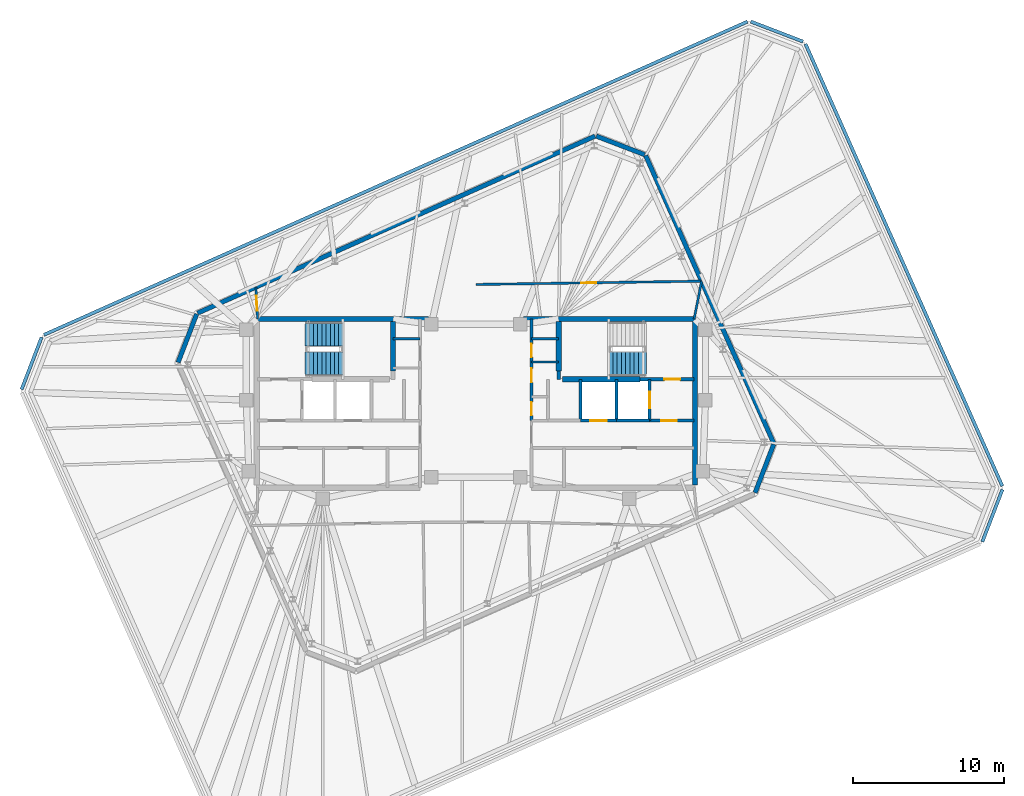
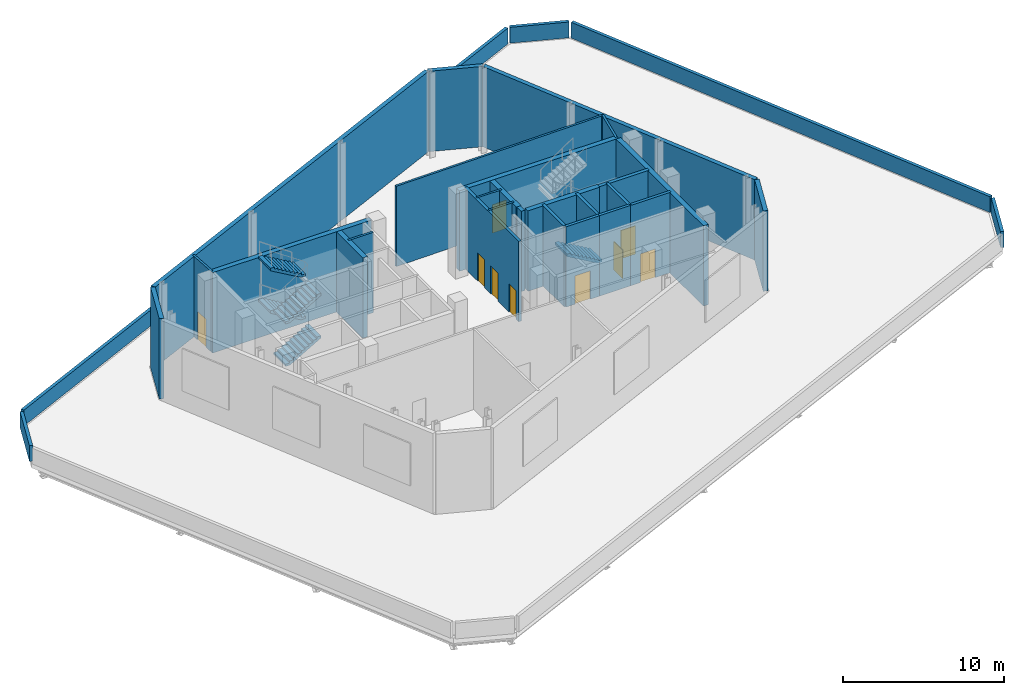
# One storey, part 8 of 10: 31 walls, 9 doors, 5 stair flights, 9 openings, 2 elements without a shape of their own.
"""IFC4 building model written with IfcOpenShell, lengths in metres."""

from ifc_helpers import new_model, si_unit, direction, frame, frame_2d, origin, place, context, subcontext, project, spatial, polyline, rectangle, outline, extrude, material, layer, layer_set, type_object, element, fill, aggregate, save


model = new_model("IFC4")

# Units and contexts
model_context = context("Model", 3, precision=1e-05, world=origin(), true_north=direction((0.0, 1.0)))
body_context = subcontext(model_context, "Body", "Model", "MODEL_VIEW")
ifc_project = project(units=[si_unit("LENGTHUNIT", "METRE"), si_unit("AREAUNIT", "SQUARE_METRE"), si_unit("VOLUMEUNIT", "CUBIC_METRE"), si_unit("PLANEANGLEUNIT", "RADIAN"), si_unit("MASSUNIT", "GRAM", prefix="KILO")], contexts=[model_context])

# Site, building, storey
site_placement = place(None, origin())
site = spatial("IfcSite", under=ifc_project, at=site_placement, CompositionType="ELEMENT")
building_placement = place(site_placement, origin())
building = spatial("IfcBuilding", under=site, at=building_placement, Name="Menara Jurai Vektor", CompositionType="ELEMENT")
storey_placement = place(building_placement, frame((0.0, 0.0, 305.550048828125)))
storey = spatial("IfcBuildingStorey", under=building, at=storey_placement, Name="L82", CompositionType="ELEMENT", Elevation=305.550048828125)

# Walls
ifc_material_1 = material(Name="Insulated Pale Aluminium Spandrel Wall", Category="aluminium")
ifc_layer_1 = layer(ifc_material_1, 0.300048828125)
ifc_layer_set_1 = layer_set([ifc_layer_1], Name="Insulated Pale Aluminium Spandrel Wall")
wall_type_1 = type_object("IfcWallType", Name="ENV-WALL-EXT300", PredefinedType="STANDARD", material=ifc_layer_set_1)
wall_1_placement = place(storey_placement, frame((18.550048828125, -5.936279296875, 0.0), z_axis=(0.0, 0.0, 1.0), x_axis=(0.358404469556, 0.933566406959, 0.0)))
element("IfcWall", 1, at=wall_1_placement, inside=storey, type_object=wall_type_1, Name="Crown Plant Drum Enclosure Wall 02", PredefinedType="STANDARD", context=body_context, shape_type="SweptSolid", body=[
    extrude(rectangle(XDim=3.445556640625, YDim=0.300048828125, at=frame_2d((1.72265625, 0.0))), origin(), (0.0, 0.0, 1.0), 6.099853515625),
])
wall_2_placement = place(storey_placement, frame((19.78271484375, -2.63671875, 0.0), z_axis=(0.0, 0.0, 1.0), x_axis=(-0.406736369999, 0.913545579224, 0.0)))
element("IfcWall", 2, at=wall_2_placement, inside=storey, type_object=wall_type_1, Name="Crown Plant Drum Enclosure Wall 03", PredefinedType="STANDARD", context=body_context, shape_type="SweptSolid", body=[
    extrude(rectangle(XDim=20.91015625, YDim=0.300048828125, at=frame_2d((10.455078125, 0.0))), origin(), (0.0, 0.0, 1.0), 6.099853515625),
])
wall_3_placement = place(storey_placement, frame((11.217529296875, 16.52294921875, 0.0), z_axis=(0.0, 0.0, 1.0), x_axis=(-0.933599212806, 0.358319005704, 0.0)))
element("IfcWall", 3, at=wall_3_placement, inside=storey, type_object=wall_type_1, Name="Crown Plant Drum Enclosure Wall 04", PredefinedType="STANDARD", context=body_context, shape_type="SweptSolid", body=[
    extrude(rectangle(XDim=3.445556640625, YDim=0.300048828125, at=frame_2d((1.72265625, 0.0))), origin(), (0.0, 0.0, 1.0), 6.099853515625),
])
wall_4_placement = place(storey_placement, frame((7.917724609375, 17.755615234375, 0.0), z_axis=(0.0, 0.0, 1.0), x_axis=(-0.913542158844, -0.406744052217, 0.0)))
element("IfcWall", 4, at=wall_4_placement, inside=storey, type_object=wall_type_1, Name="Crown Plant Drum Enclosure Wall 05", PredefinedType="STANDARD", context=body_context, shape_type="SweptSolid", body=[
    extrude(rectangle(XDim=28.91015625, YDim=0.300048828125, at=frame_2d((14.455078125, 0.0))), origin(), (0.0, 0.0, 1.0), 6.099853515625),
])
wall_5_placement = place(storey_placement, frame((-18.550048828125, 5.936279296875, 0.0), z_axis=(0.0, 0.0, 1.0), x_axis=(-0.358404469556, -0.933566406959, 0.0)))
element("IfcWall", 5, at=wall_5_placement, inside=storey, type_object=wall_type_1, Name="Crown Plant Drum Enclosure Wall 06", PredefinedType="STANDARD", context=body_context, shape_type="SweptSolid", body=[
    extrude(rectangle(XDim=3.445556640625, YDim=0.300048828125, at=frame_2d((1.72265625, 0.0))), origin(), (0.0, 0.0, 1.0), 6.099853515625),
])
ifc_material_2 = material(Name="Concrete C40/50", Category="concrete")
ifc_layer_2 = layer(ifc_material_2, 0.219970703125)
ifc_layer_set_2 = layer_set([ifc_layer_2], Name="Concrete C40/50")
wall_type_2 = type_object("IfcWallType", Name="ENV-WALL-PARAPET220", PredefinedType="PARAPET", material=ifc_layer_set_2)
wall_6_placement = place(storey_placement, frame((33.6494140625, -9.19140625, 0.0), z_axis=(0.0, 0.0, 1.0), x_axis=(0.358345342952, 0.933589104041, 0.0)))
element("IfcWall", 6, at=wall_6_placement, inside=storey, type_object=wall_type_2, Name="Roof Parapet Wall L82-BLK5-02", PredefinedType="PARAPET", context=body_context, shape_type="SweptSolid", body=[
    extrude(rectangle(XDim=3.7177734375, YDim=0.219970703125, at=frame_2d((1.85888671875, 0.0))), origin(), (0.0, 0.0, 1.0), 1.199951171875),
])
wall_7_placement = place(storey_placement, frame((34.97607421875, -5.496826171875, 0.0), z_axis=(0.0, 0.0, 1.0), x_axis=(-0.40674416426, 0.913542108959, 0.0)))
element("IfcWall", 7, at=wall_7_placement, inside=storey, type_object=wall_type_2, Name="Roof Parapet Wall L82-BLK5-03", PredefinedType="PARAPET", context=body_context, shape_type="SweptSolid", body=[
    extrude(rectangle(XDim=32.157958984375, YDim=0.219970703125, at=frame_2d((16.0791015625, 0.0))), origin(), (0.0, 0.0, 1.0), 1.199951171875),
])
wall_8_placement = place(storey_placement, frame((21.73388671875, 24.034912109375, 0.0), z_axis=(0.0, 0.0, 1.0), x_axis=(-0.933580670863, 0.35836731295, 0.0)))
element("IfcWall", 8, at=wall_8_placement, inside=storey, type_object=wall_type_2, Name="Roof Parapet Wall L82-BLK5-04", PredefinedType="PARAPET", context=body_context, shape_type="SweptSolid", body=[
    extrude(rectangle(XDim=3.717529296875, YDim=0.219970703125, at=frame_2d((1.85888671875, 0.0))), origin(), (0.0, 0.0, 1.0), 1.199951171875),
])
wall_9_placement = place(storey_placement, frame((18.03955078125, 25.361328125, 0.0), z_axis=(0.0, 0.0, 1.0), x_axis=(-0.913545087995, -0.406737473317, 0.0)))
element("IfcWall", 9, at=wall_9_placement, inside=storey, type_object=wall_type_2, Name="Roof Parapet Wall L82-BLK5-05", PredefinedType="PARAPET", context=body_context, shape_type="SweptSolid", body=[
    extrude(rectangle(XDim=51.157958984375, YDim=0.219970703125, at=frame_2d((25.5791015625, 0.0))), origin(), (0.0, 0.0, 1.0), 1.199951171875),
])
wall_10_placement = place(storey_placement, frame((-28.849609375, 4.391357421875, 0.0), z_axis=(0.0, 0.0, 1.0), x_axis=(-0.358345342952, -0.933589104041, 0.0)))
element("IfcWall", 10, at=wall_10_placement, inside=storey, type_object=wall_type_2, Name="Roof Parapet Wall L82-BLK5-06", PredefinedType="PARAPET", context=body_context, shape_type="SweptSolid", body=[
    extrude(rectangle(XDim=3.7177734375, YDim=0.219970703125, at=frame_2d((1.85888671875, 0.0))), origin(), (0.0, 0.0, 1.0), 1.199951171875),
])

# Wall, opening, door
ifc_layer_3 = layer(ifc_material_2, 0.25)
ifc_layer_set_3 = layer_set([ifc_layer_3], Name="Concrete C40/50")
wall_type_3 = type_object("IfcWallType", Name="INT-WALL-CORE-250", PredefinedType="STANDARD", material=ifc_layer_set_3)
wall_11_placement = place(storey_placement, frame((10.89990234375, 1.60009765625, 0.0), z_axis=(0.0, 0.0, 1.0), x_axis=(1.0, 0.0, 0.0)))
wall_11 = element("IfcWall", 11, at=wall_11_placement, inside=storey, type_object=wall_type_3, Name="Interior Wall IW-250 L82", PredefinedType="STANDARD", context=body_context, shape_type="SweptSolid", body=[
    extrude(rectangle(XDim=3.60009765625, YDim=0.25, at=frame_2d((1.800048828125, 0.0))), origin(), (0.0, 0.0, 1.0), 6.099853515625),
])
opening_1_placement = place(wall_11_placement, frame((1.6201171875, 0.0, 0.0)))
opening_1 = element("IfcOpeningElement", 12, at=opening_1_placement, cuts=wall_11, Name="Opening D-L82-ST2", PredefinedType="OPENING", context=body_context, shape_type="SweptSolid", body=[
    extrude(rectangle(XDim=1.050048828125, YDim=2.14990234375, at=frame_2d((0.52490234375, 1.074951171875))), frame((0.0, 0.135009765625, 0.0), z_axis=(0.0, -1.0, 0.0), x_axis=(1.0, 0.0, 0.0)), (0.0, 0.0, 1.0), 0.27001953125),
])
ifc_material_3 = material(Name="Fire-Rated Steel Door", Category="steel")
door_type_1 = type_object("IfcDoorType", Name="DR-STAIR-1050", OperationType="NOTDEFINED", PredefinedType="DOOR", material=ifc_material_3)
door_1_placement = place(opening_1_placement, origin())
door_1 = element("IfcDoor", 13, at=door_1_placement, inside=storey, type_object=door_type_1, Name="Exit Stair ST2 Door L82", OperationType="SINGLE_SWING_LEFT", OverallHeight=2.14990234375, OverallWidth=1.050048828125, PredefinedType="DOOR", context=body_context, shape_type="SweptSolid", body=[
    extrude(rectangle(XDim=1.050048828125, YDim=2.14990234375, at=frame_2d((0.52490234375, 1.074951171875))), frame((0.0, 0.02490234375, 0.0), z_axis=(0.0, -1.0, 0.0), x_axis=(1.0, 0.0, 0.0)), (0.0, 0.0, 1.0), 0.050048828125),
])
fill(opening_1, door_1)

# Wall
wall_12_placement = place(storey_placement, frame((5.5, 1.60009765625, 0.0), z_axis=(0.0, 0.0, 1.0), x_axis=(0.0, 1.0, 0.0)))
element("IfcWall", 14, at=wall_12_placement, inside=storey, type_object=wall_type_3, Name="Interior Wall IW-250 L82", PredefinedType="STANDARD", context=body_context, shape_type="SweptSolid", body=[
    extrude(rectangle(XDim=0.5498046875, YDim=0.25, at=frame_2d((0.27490234375, 0.0))), origin(), (0.0, 0.0, 1.0), 6.099853515625),
])

# Wall, opening, door
wall_13_placement = place(storey_placement, frame((11.550048828125, -1.14990234375, 0.0), z_axis=(0.0, 0.0, 1.0), x_axis=(0.0, 1.0, 0.0)))
wall_13 = element("IfcWall", 15, at=wall_13_placement, inside=storey, type_object=wall_type_3, Name="Interior Wall IW-250 L82", PredefinedType="STANDARD", context=body_context, shape_type="SweptSolid", body=[
    extrude(rectangle(XDim=2.75, YDim=0.199951171875, at=frame_2d((1.375, 0.0))), origin(), (0.0, 0.0, 1.0), 6.099853515625),
])
opening_2_placement = place(wall_13_placement, frame((0.824951171875, 0.0, 0.0)))
opening_2 = element("IfcOpeningElement", 16, at=opening_2_placement, cuts=wall_13, Name="Opening LD-L82-FL2", PredefinedType="OPENING", context=body_context, shape_type="SweptSolid", body=[
    extrude(rectangle(XDim=1.10009765625, YDim=2.14990234375, at=frame_2d((0.550048828125, 1.074951171875))), frame((0.0, 0.10986328125, 0.0), z_axis=(0.0, -1.0, 0.0), x_axis=(1.0, 0.0, 0.0)), (0.0, 0.0, 1.0), 0.219970703125),
])
ifc_material_4 = material(Name="Stainless Steel Sliding Lift Landing Door", Category="steel")
door_type_2 = type_object("IfcDoorType", Name="DR-LIFT-FIRE-1100", OperationType="NOTDEFINED", PredefinedType="DOOR", material=ifc_material_4)
door_2_placement = place(opening_2_placement, origin())
door_2 = element("IfcDoor", 17, at=door_2_placement, inside=storey, type_object=door_type_2, Name="Lift Landing Door FL2 L82", OperationType="SLIDING_TO_RIGHT", OverallHeight=2.14990234375, OverallWidth=1.10009765625, PredefinedType="DOOR", context=body_context, shape_type="SweptSolid", body=[
    extrude(rectangle(XDim=1.10009765625, YDim=2.14990234375, at=frame_2d((0.550048828125, 1.074951171875))), frame((0.0, 0.02490234375, 0.0), z_axis=(0.0, -1.0, 0.0), x_axis=(1.0, 0.0, 0.0)), (0.0, 0.0, 1.0), 0.050048828125),
])
fill(opening_2, door_2)

# Wall
wall_14_placement = place(storey_placement, frame((9.35009765625, -1.14990234375, 0.0), z_axis=(0.0, 0.0, 1.0), x_axis=(0.0, 1.0, 0.0)))
element("IfcWall", 18, at=wall_14_placement, inside=storey, type_object=wall_type_3, Name="Interior Wall IW-250 L82", PredefinedType="STANDARD", context=body_context, shape_type="SweptSolid", body=[
    extrude(rectangle(XDim=2.75, YDim=0.199951171875, at=frame_2d((1.375, 0.0))), origin(), (0.0, 0.0, 1.0), 6.099853515625),
])

# Wall, opening, door
wall_15_placement = place(storey_placement, frame((11.550048828125, -1.14990234375, 0.0), z_axis=(0.0, 0.0, 1.0), x_axis=(1.0, 0.0, 0.0)))
wall_15 = element("IfcWall", 19, at=wall_15_placement, inside=storey, type_object=wall_type_3, Name="Interior Wall IW-250 L82", PredefinedType="STANDARD", context=body_context, shape_type="SweptSolid", body=[
    extrude(rectangle(XDim=2.949951171875, YDim=0.199951171875, at=frame_2d((1.47509765625, 0.0))), origin(), (0.0, 0.0, 1.0), 6.099853515625),
])
opening_3_placement = place(wall_15_placement, frame((0.75, 0.0, 0.0)))
opening_3 = element("IfcOpeningElement", 20, at=opening_3_placement, cuts=wall_15, Name="Opening D-L82-FFE", PredefinedType="OPENING", context=body_context, shape_type="SweptSolid", body=[
    extrude(rectangle(XDim=1.050048828125, YDim=2.179931640625, at=frame_2d((0.52490234375, 1.08984375))), frame((0.0, 0.10986328125, 0.0), z_axis=(0.0, -1.0, 0.0), x_axis=(1.0, 0.0, 0.0)), (0.0, 0.0, 1.0), 0.219970703125),
])
ifc_material_5 = material(Name="Fire-Rated Timber Door", Category="wood")
door_type_3 = type_object("IfcDoorType", Name="DR-LOBBY-1050", OperationType="NOTDEFINED", PredefinedType="DOOR", material=ifc_material_5)
door_3_placement = place(opening_3_placement, origin())
door_3 = element("IfcDoor", 21, at=door_3_placement, inside=storey, type_object=door_type_3, Name="Fire Lift Lobby Door E L82", OperationType="SINGLE_SWING_LEFT", OverallHeight=2.179931640625, OverallWidth=1.050048828125, PredefinedType="DOOR", context=body_context, shape_type="SweptSolid", body=[
    extrude(rectangle(XDim=1.050048828125, YDim=2.179931640625, at=frame_2d((0.52490234375, 1.08984375))), frame((0.0, 0.02490234375, 0.0), z_axis=(0.0, -1.0, 0.0), x_axis=(1.0, 0.0, 0.0)), (0.0, 0.0, 1.0), 0.050048828125),
])
fill(opening_3, door_3)

# Walls
wall_16_placement = place(storey_placement, frame((9.35009765625, -1.14990234375, 0.0), z_axis=(0.0, 0.0, 1.0), x_axis=(1.0, 0.0, 0.0)))
element("IfcWall", 22, at=wall_16_placement, inside=storey, type_object=wall_type_3, Name="Interior Wall IW-250 L82", PredefinedType="STANDARD", context=body_context, shape_type="SweptSolid", body=[
    extrude(rectangle(XDim=2.199951171875, YDim=0.199951171875, at=frame_2d((1.10009765625, 0.0))), origin(), (0.0, 0.0, 1.0), 6.099853515625),
])
ifc_material_6 = material(Name="Gypsum Fireboard Partition", Category="gypsum")
ifc_layer_4 = layer(ifc_material_6, 0.14990234375)
ifc_layer_set_4 = layer_set([ifc_layer_4], Name="Gypsum Fireboard Partition")
wall_type_4 = type_object("IfcWallType", Name="INT-WALL-CORR-150", PredefinedType="PARTITIONING", material=ifc_layer_set_4)
for number, where, z_axis, x_axis, name in (
    (23, (-5.5, 4.300048828125, 0.0), (0.0, 0.0, 1.0), (1.0, 0.0, 0.0), "Interior Wall IW-150 L82"),
    (24, (3.699951171875, 4.300048828125, 0.0), (0.0, 0.0, 1.0), (1.0, 0.0, 0.0), "Interior Wall IW-150 L82"),
    (25, (3.699951171875, 2.75, 0.0), (0.0, 0.0, 1.0), (1.0, 0.0, 0.0), "Interior Wall IW-150 L82"),
):
    element("IfcWall", number, at=place(storey_placement, frame(where, z_axis=z_axis, x_axis=x_axis)), inside=storey, type_object=wall_type_4, Name=name, PredefinedType="PARTITIONING", context=body_context, shape_type="SweptSolid", body=[
        extrude(rectangle(XDim=1.800048828125, YDim=0.14990234375, at=frame_2d((0.89990234375, 0.0))), origin(), (0.0, 0.0, 1.0), 6.099853515625),
    ])

# Wall, opening, door
wall_17_placement = place(storey_placement, frame((-14.5, 5.60009765625, 0.0), z_axis=(0.0, 0.0, 1.0), x_axis=(-0.053607139023, 0.99856210355, 0.0)))
wall_17 = element("IfcWall", 26, at=wall_17_placement, inside=storey, type_object=wall_type_4, Name="Interior Wall IW-150 L82", PredefinedType="PARTITIONING", context=body_context, shape_type="SweptSolid", body=[
    extrude(rectangle(XDim=2.126953125, YDim=0.14990234375, at=frame_2d((1.0634765625, 0.0))), origin(), (0.0, 0.0, 1.0), 6.099853515625),
])
opening_4_placement = place(wall_17_placement, frame((0.5634765625, 0.0, 0.0)))
opening_4 = element("IfcOpeningElement", 27, at=opening_4_placement, cuts=wall_17, Name="Opening D82-09", PredefinedType="OPENING", context=body_context, shape_type="SweptSolid", body=[
    extrude(rectangle(XDim=1.0, YDim=2.14990234375, at=frame_2d((0.5, 1.074951171875))), frame((0.0, 0.0849609375, 0.0), z_axis=(0.0, -1.0, 0.0), x_axis=(1.0, 0.0, 0.0)), (0.0, 0.0, 1.0), 0.169921875),
])
ifc_material_7 = material(Name="Solid Core Timber Fire Door", Category="wood")
door_type_4 = type_object("IfcDoorType", Name="DR-ENTRY-950", OperationType="NOTDEFINED", PredefinedType="DOOR", material=ifc_material_7)
door_4_placement = place(opening_4_placement, origin())
door_4 = element("IfcDoor", 28, at=door_4_placement, inside=storey, type_object=door_type_4, Name="Interior Door D82-09", OperationType="SINGLE_SWING_LEFT", OverallHeight=2.14990234375, OverallWidth=1.0, PredefinedType="DOOR", context=body_context, shape_type="SweptSolid", body=[
    extrude(rectangle(XDim=1.0, YDim=2.14990234375, at=frame_2d((0.5, 1.074951171875))), frame((0.0, 0.02490234375, 0.0), z_axis=(0.0, -1.0, 0.0), x_axis=(1.0, 0.0, 0.0)), (0.0, 0.0, 1.0), 0.050048828125),
])
fill(opening_4, door_4)

wall_18_placement = place(storey_placement, frame((0.0, 7.89990234375, 0.0), z_axis=(0.0, 0.0, 1.0), x_axis=(0.999892399394, 0.01466934334, 0.0)))
wall_18 = element("IfcWall", 29, at=wall_18_placement, inside=storey, type_object=wall_type_4, Name="Interior Wall IW-150 L82", PredefinedType="PARTITIONING", context=body_context, shape_type="SweptSolid", body=[
    extrude(rectangle(XDim=14.995361328125, YDim=0.14990234375, at=frame_2d((7.49755859375, 0.0))), origin(), (0.0, 0.0, 1.0), 6.099853515625),
])
opening_5_placement = place(wall_18_placement, frame((6.997802734375, 0.0, 0.0)))
opening_5 = element("IfcOpeningElement", 30, at=opening_5_placement, cuts=wall_18, Name="Opening D82-10", PredefinedType="OPENING", context=body_context, shape_type="SweptSolid", body=[
    extrude(rectangle(XDim=1.0, YDim=2.14990234375, at=frame_2d((0.5, 1.074951171875))), frame((0.0, 0.0849609375, 0.0), z_axis=(0.0, -1.0, 0.0), x_axis=(1.0, 0.0, 0.0)), (0.0, 0.0, 1.0), 0.169921875),
])
door_5_placement = place(opening_5_placement, origin())
door_5 = element("IfcDoor", 31, at=door_5_placement, inside=storey, type_object=door_type_4, Name="Interior Door D82-10", OperationType="SINGLE_SWING_RIGHT", OverallHeight=2.14990234375, OverallWidth=1.0, PredefinedType="DOOR", context=body_context, shape_type="SweptSolid", body=[
    extrude(rectangle(XDim=1.0, YDim=2.14990234375, at=frame_2d((0.5, 1.074951171875))), frame((0.0, 0.02490234375, 0.0), z_axis=(0.0, -1.0, 0.0), x_axis=(1.0, 0.0, 0.0)), (0.0, 0.0, 1.0), 0.050048828125),
])
fill(opening_5, door_5)

# Wall
wall_19_placement = place(storey_placement, frame((14.5, 5.60009765625, 0.0), z_axis=(0.0, 0.0, 1.0), x_axis=(0.192256468782, 0.981344715282, 0.0)))
element("IfcWall", 32, at=wall_19_placement, inside=storey, type_object=wall_type_4, Name="Interior Wall IW-150 L82", PredefinedType="PARTITIONING", context=body_context, shape_type="SweptSolid", body=[
    extrude(rectangle(XDim=2.567626953125, YDim=0.14990234375, at=frame_2d((1.28369140625, 0.0))), origin(), (0.0, 0.0, 1.0), 6.099853515625),
])

# Wall, openings, doors
ifc_layer_5 = layer(ifc_material_2, 0.199951171875)
ifc_layer_set_5 = layer_set([ifc_layer_5], Name="Concrete C40/50")
wall_type_5 = type_object("IfcWallType", Name="INT-WALL-SHAFT-200", PredefinedType="STANDARD", material=ifc_layer_set_5)
wall_20_placement = place(storey_placement, frame((3.699951171875, -1.14990234375, 0.0), z_axis=(0.0, 0.0, 1.0), x_axis=(0.0, 1.0, 0.0)))
wall_20 = element("IfcWall", 33, at=wall_20_placement, inside=storey, type_object=wall_type_5, Name="Interior Wall IW-200 L82", PredefinedType="STANDARD", context=body_context, shape_type="SweptSolid", body=[
    extrude(rectangle(XDim=6.75, YDim=0.199951171875, at=frame_2d((3.375, 0.0))), origin(), (0.0, 0.0, 1.0), 6.099853515625),
])
opening_6_placement = place(wall_20_placement, frame((0.35009765625, 0.0, 0.0)))
opening_6 = element("IfcOpeningElement", 34, at=opening_6_placement, cuts=wall_20, Name="Opening D82-06", PredefinedType="OPENING", context=body_context, shape_type="SweptSolid", body=[
    extrude(rectangle(XDim=0.8798828125, YDim=2.14990234375, at=frame_2d((0.43994140625, 1.074951171875))), frame((0.0, 0.10986328125, 0.0), z_axis=(0.0, -1.0, 0.0), x_axis=(1.0, 0.0, 0.0)), (0.0, 0.0, 1.0), 0.219970703125),
])
opening_7_placement = place(wall_20_placement, frame((2.550048828125, 0.0, 0.0)))
opening_7 = element("IfcOpeningElement", 35, at=opening_7_placement, cuts=wall_20, Name="Opening D82-07", PredefinedType="OPENING", context=body_context, shape_type="SweptSolid", body=[
    extrude(rectangle(XDim=0.919921875, YDim=2.14990234375, at=frame_2d((0.4599609375, 1.074951171875))), frame((0.0, 0.10986328125, 0.0), z_axis=(0.0, -1.0, 0.0), x_axis=(1.0, 0.0, 0.0)), (0.0, 0.0, 1.0), 0.219970703125),
])
opening_8_placement = place(wall_20_placement, frame((4.219970703125, 0.0, 0.0)))
opening_8 = element("IfcOpeningElement", 36, at=opening_8_placement, cuts=wall_20, Name="Opening D82-08", PredefinedType="OPENING", context=body_context, shape_type="SweptSolid", body=[
    extrude(rectangle(XDim=0.8798828125, YDim=2.14990234375, at=frame_2d((0.43994140625, 1.074951171875))), frame((0.0, 0.10986328125, 0.0), z_axis=(0.0, -1.0, 0.0), x_axis=(1.0, 0.0, 0.0)), (0.0, 0.0, 1.0), 0.219970703125),
])
door_6_placement = place(opening_6_placement, origin())
door_6 = element("IfcDoor", 37, at=door_6_placement, inside=storey, type_object=door_type_4, Name="Interior Door D82-06", OperationType="SINGLE_SWING_RIGHT", OverallHeight=2.14990234375, OverallWidth=0.8798828125, PredefinedType="DOOR", context=body_context, shape_type="SweptSolid", body=[
    extrude(rectangle(XDim=0.8798828125, YDim=2.14990234375, at=frame_2d((0.43994140625, 1.074951171875))), frame((0.0, 0.02490234375, 0.0), z_axis=(0.0, -1.0, 0.0), x_axis=(1.0, 0.0, 0.0)), (0.0, 0.0, 1.0), 0.050048828125),
])
fill(opening_6, door_6)
door_7_placement = place(opening_7_placement, origin())
door_7 = element("IfcDoor", 38, at=door_7_placement, inside=storey, type_object=door_type_4, Name="Interior Door D82-07", OperationType="SINGLE_SWING_RIGHT", OverallHeight=2.14990234375, OverallWidth=0.919921875, PredefinedType="DOOR", context=body_context, shape_type="SweptSolid", body=[
    extrude(rectangle(XDim=0.919921875, YDim=2.14990234375, at=frame_2d((0.4599609375, 1.074951171875))), frame((0.0, 0.02490234375, 0.0), z_axis=(0.0, -1.0, 0.0), x_axis=(1.0, 0.0, 0.0)), (0.0, 0.0, 1.0), 0.050048828125),
])
fill(opening_7, door_7)
door_8_placement = place(opening_8_placement, origin())
door_8 = element("IfcDoor", 39, at=door_8_placement, inside=storey, type_object=door_type_4, Name="Interior Door D82-08", OperationType="SINGLE_SWING_RIGHT", OverallHeight=2.14990234375, OverallWidth=0.8798828125, PredefinedType="DOOR", context=body_context, shape_type="SweptSolid", body=[
    extrude(rectangle(XDim=0.8798828125, YDim=2.14990234375, at=frame_2d((0.43994140625, 1.074951171875))), frame((0.0, 0.02490234375, 0.0), z_axis=(0.0, -1.0, 0.0), x_axis=(1.0, 0.0, 0.0)), (0.0, 0.0, 1.0), 0.050048828125),
])
fill(opening_8, door_8)

# Wall
wall_21_placement = place(storey_placement, frame((6.949951171875, -1.14990234375, 0.0), z_axis=(0.0, 0.0, 1.0), x_axis=(0.0, 1.0, 0.0)))
element("IfcWall", 40, at=wall_21_placement, inside=storey, type_object=wall_type_5, Name="Interior Wall IW-200 L82", PredefinedType="STANDARD", context=body_context, shape_type="SweptSolid", body=[
    extrude(rectangle(XDim=2.75, YDim=0.199951171875, at=frame_2d((1.375, 0.0))), origin(), (0.0, 0.0, 1.0), 6.099853515625),
])

# Wall, opening, door
wall_22_placement = place(storey_placement, frame((6.949951171875, -1.14990234375, 0.0), z_axis=(0.0, 0.0, 1.0), x_axis=(1.0, 0.0, 0.0)))
wall_22 = element("IfcWall", 41, at=wall_22_placement, inside=storey, type_object=wall_type_5, Name="Interior Wall IW-200 L82", PredefinedType="STANDARD", context=body_context, shape_type="SweptSolid", body=[
    extrude(rectangle(XDim=2.400146484375, YDim=0.199951171875, at=frame_2d((1.2001953125, 0.0))), origin(), (0.0, 0.0, 1.0), 6.099853515625),
])
opening_9_placement = place(wall_22_placement, frame((0.64990234375, 0.0, 0.0)))
opening_9 = element("IfcOpeningElement", 42, at=opening_9_placement, cuts=wall_22, Name="Opening LD-L82-SVL2", PredefinedType="OPENING", context=body_context, shape_type="SweptSolid", body=[
    extrude(rectangle(XDim=1.10009765625, YDim=2.14990234375, at=frame_2d((0.550048828125, 1.074951171875))), frame((0.0, 0.10986328125, 0.0), z_axis=(0.0, -1.0, 0.0), x_axis=(1.0, 0.0, 0.0)), (0.0, 0.0, 1.0), 0.219970703125),
])
ifc_material_8 = material(Name="Anodised Stainless Sliding Lift Landing Door", Category="steel")
door_type_5 = type_object("IfcDoorType", Name="DR-LIFT-PASS-1100", OperationType="NOTDEFINED", PredefinedType="DOOR", material=ifc_material_8)
door_9_placement = place(opening_9_placement, origin())
door_9 = element("IfcDoor", 43, at=door_9_placement, inside=storey, type_object=door_type_5, Name="Lift Landing Door SVL2 L82", OperationType="SLIDING_TO_RIGHT", OverallHeight=2.14990234375, OverallWidth=1.10009765625, PredefinedType="DOOR", context=body_context, shape_type="SweptSolid", body=[
    extrude(rectangle(XDim=1.10009765625, YDim=2.14990234375, at=frame_2d((0.550048828125, 1.074951171875))), frame((0.0, 0.02490234375, 0.0), z_axis=(0.0, -1.0, 0.0), x_axis=(1.0, 0.0, 0.0)), (0.0, 0.0, 1.0), 0.050048828125),
])
fill(opening_9, door_9)

# Walls
ifc_material_9 = material(Name="Concrete C50/60", Category="concrete")
ifc_layer_6 = layer(ifc_material_9, 0.35009765625)
ifc_layer_set_6 = layer_set([ifc_layer_6], Name="Concrete C50/60")
wall_type_6 = type_object("IfcWallType", Name="STR-WALL-CORE350", PredefinedType="SHEAR", material=ifc_layer_set_6)
wall_23_placement = place(storey_placement, frame((-14.56005859375, 5.60009765625, 0.0), z_axis=(0.0, 0.0, 1.0), x_axis=(1.0, 0.0, 0.0)))
element("IfcWall", 44, at=wall_23_placement, inside=storey, type_object=wall_type_6, Name="Core Shear Wall CW-W-N L82", PredefinedType="SHEAR", context=body_context, shape_type="SweptSolid", body=[
    extrude(rectangle(XDim=11.41015625, YDim=0.35009765625, at=frame_2d((5.705078125, 0.0))), origin(), (0.0, 0.0, 1.0), 6.099853515625),
])
wall_24_placement = place(storey_placement, frame((-5.5, 2.14990234375, 0.0), z_axis=(0.0, 0.0, 1.0), x_axis=(0.0, 1.0, 0.0)))
element("IfcWall", 45, at=wall_24_placement, inside=storey, type_object=wall_type_6, Name="Core Shear Wall CW-W-ST L82", PredefinedType="SHEAR", context=body_context, shape_type="SweptSolid", body=[
    extrude(rectangle(XDim=3.275146484375, YDim=0.35009765625, at=frame_2d((1.6376953125, 0.0))), origin(), (0.0, 0.0, 1.0), 6.099853515625),
])
wall_25_placement = place(storey_placement, frame((3.14990234375, 5.60009765625, 0.0), z_axis=(0.0, 0.0, 1.0), x_axis=(1.0, 0.0, 0.0)))
element("IfcWall", 46, at=wall_25_placement, inside=storey, type_object=wall_type_6, Name="Core Shear Wall CW-E-N L82", PredefinedType="SHEAR", context=body_context, shape_type="SweptSolid", body=[
    extrude(rectangle(XDim=11.41015625, YDim=0.35009765625, at=frame_2d((5.705078125, 0.0))), origin(), (0.0, 0.0, 1.0), 6.099853515625),
])
wall_26_placement = place(storey_placement, frame((14.56005859375, -5.425048828125, 0.0), z_axis=(0.0, 0.0, 1.0), x_axis=(0.0, 1.0, 0.0)))
element("IfcWall", 47, at=wall_26_placement, inside=storey, type_object=wall_type_6, Name="Core Shear Wall CW-E-E L82", PredefinedType="SHEAR", context=body_context, shape_type="SweptSolid", body=[
    extrude(rectangle(XDim=10.85009765625, YDim=0.35009765625, at=frame_2d((5.425048828125, 0.0))), origin(), (0.0, 0.0, 1.0), 6.099853515625),
])
wall_27_placement = place(storey_placement, frame((5.5, 2.14990234375, 0.0), z_axis=(0.0, 0.0, 1.0), x_axis=(0.0, 1.0, 0.0)))
element("IfcWall", 48, at=wall_27_placement, inside=storey, type_object=wall_type_6, Name="Core Shear Wall CW-E-ST L82", PredefinedType="SHEAR", context=body_context, shape_type="SweptSolid", body=[
    extrude(rectangle(XDim=3.275146484375, YDim=0.35009765625, at=frame_2d((1.6376953125, 0.0))), origin(), (0.0, 0.0, 1.0), 6.099853515625),
])
wall_28_placement = place(storey_placement, frame((5.75, 1.60009765625, 0.0), z_axis=(0.0, 0.0, 1.0), x_axis=(1.0, 0.0, 0.0)))
element("IfcWall", 49, at=wall_28_placement, inside=storey, type_object=wall_type_6, Name="Core Shear Wall CW-E-STS L82", PredefinedType="SHEAR", context=body_context, shape_type="SweptSolid", body=[
    extrude(rectangle(XDim=5.14990234375, YDim=0.35009765625, at=frame_2d((2.574951171875, 0.0))), origin(), (0.0, 0.0, 1.0), 6.099853515625),
])

# Stair, stair flights
stair_type = type_object("IfcStairType", Name="STAIR-DOGLEG-1500", PredefinedType="HALF_TURN_STAIR", material=ifc_material_2)
stair_1_placement = place(storey_placement, origin())
stair_1 = element("IfcStair", 50, at=stair_1_placement, inside=storey, type_object=stair_type, Name="Protected Exit Stair ST1 L82", PredefinedType="HALF_TURN_STAIR")
stair_flight_type = type_object("IfcStairFlightType", Name="STAIR-FLIGHT-1500", PredefinedType="STRAIGHT", material=ifc_material_2)
stair_flight_1_placement = place(storey_placement, frame((-11.35009765625, 2.64990234375, 0.0), z_axis=(0.0, 0.0, 1.0), x_axis=(1.0, 0.0, 0.0)))
stair_flight_1 = element("IfcStairFlight", 51, at=stair_flight_1_placement, type_object=stair_flight_type, Name="ST1 flight 1", NumberOfRisers=10, NumberOfTreads=9, PredefinedType="STRAIGHT", RiserHeight=0.16125, TreadLength=0.28, context=body_context, shape_type="SweptSolid", body=[
    extrude(outline(polyline([(0.0, 0.0), (0.0, 0.1611328125), (0.280029296875, 0.1611328125), (0.280029296875, 0.322509765625), (0.56005859375, 0.322509765625), (0.56005859375, 0.483642578125), (0.840087890625, 0.483642578125), (0.840087890625, 0.64501953125), (1.1201171875, 0.64501953125), (1.1201171875, 0.80615234375), (1.39990234375, 0.80615234375), (1.39990234375, 0.967529296875), (1.679931640625, 0.967529296875), (1.679931640625, 1.128662109375), (1.9599609375, 1.128662109375), (1.9599609375, 1.2900390625), (2.239990234375, 1.2900390625), (2.239990234375, 1.451171875), (2.52001953125, 1.451171875), (2.52001953125, 1.612548828125), (2.52001953125, 1.2666015625), (0.3203125, 0.0), (0.0, 0.0)])), frame((0.0, 0.75, 0.0), z_axis=(0.0, -1.0, 0.0), x_axis=(1.0, 0.0, 0.0)), (0.0, 0.0, 1.0), 1.5),
])
stair_flight_2_placement = place(storey_placement, frame((-8.830078125, 4.550048828125, 1.612548828125), z_axis=(0.0, 0.0, 1.0), x_axis=(-1.0, 0.0, 0.0)))
stair_flight_2 = element("IfcStairFlight", 52, at=stair_flight_2_placement, type_object=stair_flight_type, Name="ST1 flight 2", NumberOfRisers=10, NumberOfTreads=9, PredefinedType="STRAIGHT", RiserHeight=0.16125, TreadLength=0.28, context=body_context, shape_type="SweptSolid", body=[
    extrude(outline(polyline([(0.0, 0.0), (0.0, 0.1611328125), (0.280029296875, 0.1611328125), (0.280029296875, 0.322509765625), (0.56005859375, 0.322509765625), (0.56005859375, 0.483642578125), (0.840087890625, 0.483642578125), (0.840087890625, 0.64501953125), (1.1201171875, 0.64501953125), (1.1201171875, 0.80615234375), (1.39990234375, 0.80615234375), (1.39990234375, 0.967529296875), (1.679931640625, 0.967529296875), (1.679931640625, 1.128662109375), (1.9599609375, 1.128662109375), (1.9599609375, 1.2900390625), (2.239990234375, 1.2900390625), (2.239990234375, 1.451171875), (2.52001953125, 1.451171875), (2.52001953125, 1.612548828125), (2.52001953125, 1.2666015625), (0.3203125, 0.0), (0.0, 0.0)])), frame((0.0, 0.75, 0.0), z_axis=(0.0, -1.0, 0.0), x_axis=(1.0, 0.0, 0.0)), (0.0, 0.0, 1.0), 1.5),
])
stair_flight_3_placement = place(storey_placement, frame((-11.35009765625, 2.64990234375, 3.224853515625), z_axis=(0.0, 0.0, 1.0), x_axis=(1.0, 0.0, 0.0)))
stair_flight_3 = element("IfcStairFlight", 53, at=stair_flight_3_placement, type_object=stair_flight_type, Name="ST1 flight 3", NumberOfRisers=10, NumberOfTreads=9, PredefinedType="STRAIGHT", RiserHeight=0.16125, TreadLength=0.28, context=body_context, shape_type="SweptSolid", body=[
    extrude(outline(polyline([(0.0, 0.0), (0.0, 0.1611328125), (0.280029296875, 0.1611328125), (0.280029296875, 0.322509765625), (0.56005859375, 0.322509765625), (0.56005859375, 0.483642578125), (0.840087890625, 0.483642578125), (0.840087890625, 0.64501953125), (1.1201171875, 0.64501953125), (1.1201171875, 0.80615234375), (1.39990234375, 0.80615234375), (1.39990234375, 0.967529296875), (1.679931640625, 0.967529296875), (1.679931640625, 1.128662109375), (1.9599609375, 1.128662109375), (1.9599609375, 1.2900390625), (2.239990234375, 1.2900390625), (2.239990234375, 1.451171875), (2.52001953125, 1.451171875), (2.52001953125, 1.612548828125), (2.52001953125, 1.2666015625), (0.3203125, 0.0), (0.0, 0.0)])), frame((0.0, 0.75, 0.0), z_axis=(0.0, -1.0, 0.0), x_axis=(1.0, 0.0, 0.0)), (0.0, 0.0, 1.0), 1.5),
])
stair_flight_4_placement = place(storey_placement, frame((-8.830078125, 4.550048828125, 4.83740234375), z_axis=(0.0, 0.0, 1.0), x_axis=(-1.0, 0.0, 0.0)))
stair_flight_4 = element("IfcStairFlight", 54, at=stair_flight_4_placement, type_object=stair_flight_type, Name="ST1 flight 4", NumberOfRisers=10, NumberOfTreads=9, PredefinedType="STRAIGHT", RiserHeight=0.16125, TreadLength=0.28, context=body_context, shape_type="SweptSolid", body=[
    extrude(outline(polyline([(0.0, 0.0), (0.0, 0.1611328125), (0.280029296875, 0.1611328125), (0.280029296875, 0.322509765625), (0.56005859375, 0.322509765625), (0.56005859375, 0.483642578125), (0.840087890625, 0.483642578125), (0.840087890625, 0.64501953125), (1.1201171875, 0.64501953125), (1.1201171875, 0.80615234375), (1.39990234375, 0.80615234375), (1.39990234375, 0.967529296875), (1.679931640625, 0.967529296875), (1.679931640625, 1.128662109375), (1.9599609375, 1.128662109375), (1.9599609375, 1.2900390625), (2.239990234375, 1.2900390625), (2.239990234375, 1.451171875), (2.52001953125, 1.451171875), (2.52001953125, 1.612548828125), (2.52001953125, 1.2666015625), (0.3203125, 0.0), (0.0, 0.0)])), frame((0.0, 0.75, 0.0), z_axis=(0.0, -1.0, 0.0), x_axis=(1.0, 0.0, 0.0)), (0.0, 0.0, 1.0), 1.5),
])
aggregate(stair_1, [stair_flight_1, stair_flight_2, stair_flight_3, stair_flight_4])

# Stair, stair flight
stair_2_placement = place(storey_placement, origin())
stair_2 = element("IfcStair", 55, at=stair_2_placement, inside=storey, type_object=stair_type, Name="Protected Exit Stair ST2 L82", PredefinedType="HALF_TURN_STAIR")
stair_flight_5_placement = place(storey_placement, frame((11.35009765625, 2.64990234375, 0.0), z_axis=(0.0, 0.0, 1.0), x_axis=(-1.0, 0.0, 0.0)))
stair_flight_5 = element("IfcStairFlight", 56, at=stair_flight_5_placement, type_object=stair_flight_type, Name="ST2 flight 1", NumberOfRisers=10, NumberOfTreads=9, PredefinedType="STRAIGHT", RiserHeight=0.16125, TreadLength=0.28, context=body_context, shape_type="SweptSolid", body=[
    extrude(outline(polyline([(0.0, 0.0), (0.0, 0.1611328125), (0.280029296875, 0.1611328125), (0.280029296875, 0.322509765625), (0.56005859375, 0.322509765625), (0.56005859375, 0.483642578125), (0.840087890625, 0.483642578125), (0.840087890625, 0.64501953125), (1.1201171875, 0.64501953125), (1.1201171875, 0.80615234375), (1.39990234375, 0.80615234375), (1.39990234375, 0.967529296875), (1.679931640625, 0.967529296875), (1.679931640625, 1.128662109375), (1.9599609375, 1.128662109375), (1.9599609375, 1.2900390625), (2.239990234375, 1.2900390625), (2.239990234375, 1.451171875), (2.52001953125, 1.451171875), (2.52001953125, 1.612548828125), (2.52001953125, 1.2666015625), (0.3203125, 0.0), (0.0, 0.0)])), frame((0.0, 0.75, 0.0), z_axis=(0.0, -1.0, 0.0), x_axis=(1.0, 0.0, 0.0)), (0.0, 0.0, 1.0), 1.5),
])
aggregate(stair_2, [stair_flight_5])

save(model, "model.ifc")
